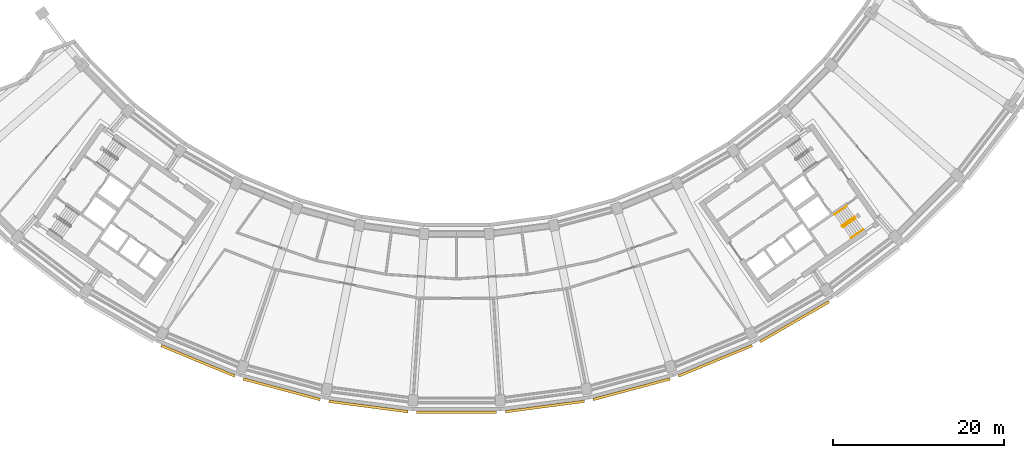
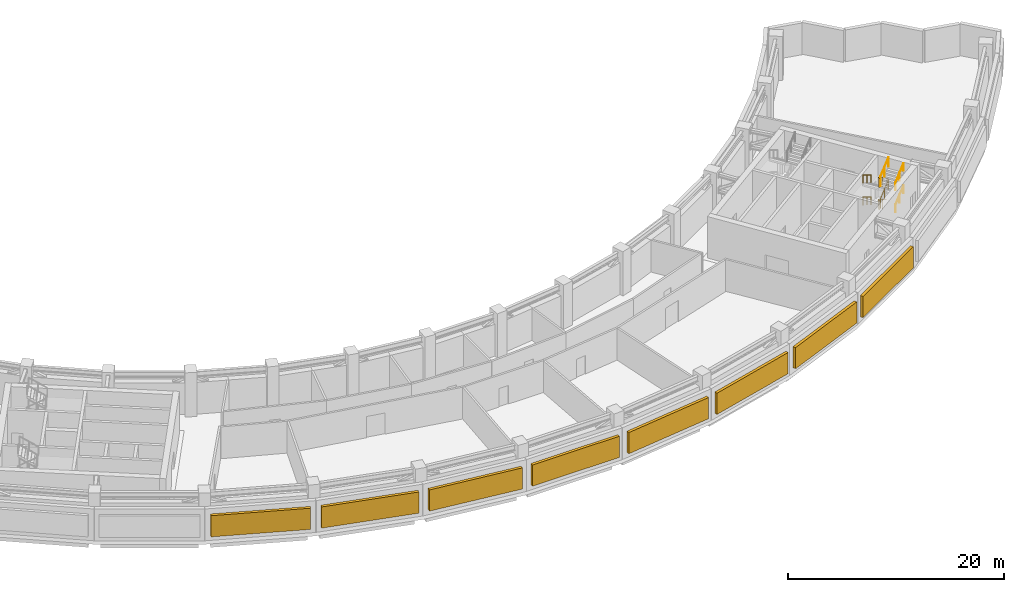
# One storey, part 22 of 24: 8 railings, 8 shading devices.
"""IFC4 building model written with IfcOpenShell, lengths in metres."""

from ifc_helpers import new_model, si_unit, direction, frame, origin, origin_2d, place, context, subcontext, project, spatial, rectangle, circle, extrude, material, type_object, element, save


model = new_model("IFC4")

# Units and contexts
model_context = context("Model", 3, precision=1e-05, world=origin(), true_north=direction((0.0, 1.0)))
body_context = subcontext(model_context, "Body", "Model", "MODEL_VIEW")
ifc_project = project(units=[si_unit("LENGTHUNIT", "METRE"), si_unit("AREAUNIT", "SQUARE_METRE"), si_unit("VOLUMEUNIT", "CUBIC_METRE"), si_unit("PLANEANGLEUNIT", "RADIAN"), si_unit("MASSUNIT", "GRAM", prefix="KILO")], contexts=[model_context])

# Site, building, storey
site_placement = place(None, origin())
site = spatial("IfcSite", under=ifc_project, at=site_placement, CompositionType="ELEMENT")
building_placement = place(site_placement, origin())
building = spatial("IfcBuilding", under=site, at=building_placement, Name="Qamariyya Broadcast Tower", CompositionType="ELEMENT")
storey_placement = place(building_placement, frame((0.0, 0.0, 198.699951171875)))
storey = spatial("IfcBuildingStorey", under=building, at=storey_placement, Name="L47", CompositionType="ELEMENT", Elevation=198.699951171875)

# Railings
ifc_material_1 = material(Name="Painted steel", Category="steel")
railing_type_1 = type_object("IfcRailingType", Name="Stair guard", PredefinedType="GUARDRAIL", material=ifc_material_1)
railing_1_placement = place(storey_placement, frame((46.48095703125, -56.14306640625, 0.1787109375)))
element("IfcRailing", 1, at=railing_1_placement, inside=storey, type_object=railing_type_1, Name="L47 ST-E1 stair guard 1", PredefinedType="GUARDRAIL", context=body_context, shape_type="SweptSolid", body=[
    extrude(circle(Radius=0.02392578125, at=origin_2d()), frame((0.0, 0.0, 1.076171875), z_axis=(-0.697532699334, -0.488440163562, 0.524284598266), x_axis=(0.573594173421, -0.819139624372, 0.0)), (0.0, 0.0, 1.0), 2.04345703125),
    extrude(circle(Radius=0.02392578125, at=origin_2d()), frame((-1.42529296875, -0.998046875, 2.1474609375), z_axis=(-0.176149252506, -0.984363469884, 0.0), x_axis=(0.984363469884, -0.176149252506, 0.0)), (0.0, 0.0, 1.0), 0.07080078125),
    extrude(circle(Radius=0.02392578125, at=origin_2d()), frame((-1.437744140625, -1.067626953125, 2.1474609375), z_axis=(0.574444878118, -0.818543268254, 0.0), x_axis=(0.818543268254, 0.574444878118, 0.0)), (0.0, 0.0, 1.0), 0.150146484375),
    extrude(circle(Radius=0.02099609375, at=origin_2d()), origin(), (0.0, 0.0, 1.0), 1.052001953125),
    extrude(circle(Radius=0.02099609375, at=origin_2d()), frame((-0.712646484375, -0.4990234375, 0.53564453125)), (0.0, 0.0, 1.0), 1.052001953125),
    extrude(circle(Radius=0.02099609375, at=origin_2d()), frame((-1.42529296875, -0.998046875, 1.0712890625)), (0.0, 0.0, 1.0), 1.052001953125),
    extrude(circle(Radius=0.02099609375, at=origin_2d()), frame((-1.437744140625, -1.067626953125, 1.0712890625)), (0.0, 0.0, 1.0), 1.052001953125),
    extrude(circle(Radius=0.02099609375, at=origin_2d()), frame((-1.3515625, -1.1904296875, 1.0712890625)), (0.0, 0.0, 1.0), 1.052001953125),
])
railing_2_placement = place(storey_placement, frame((45.198974609375, -57.345703125, 1.4287109375)))
element("IfcRailing", 2, at=railing_2_placement, inside=storey, type_object=railing_type_1, Name="L47 ST-E1 stair guard 2", PredefinedType="GUARDRAIL", context=body_context, shape_type="SweptSolid", body=[
    extrude(circle(Radius=0.02392578125, at=origin_2d()), frame((0.0, 0.0, 1.076171875), z_axis=(0.697532699334, 0.488440163562, 0.524284598266), x_axis=(-0.573594173421, 0.819139624372, 0.0)), (0.0, 0.0, 1.0), 2.04345703125),
    extrude(circle(Radius=0.02392578125, at=origin_2d()), frame((1.42529296875, 0.998046875, 2.1474609375), z_axis=(-0.357867132547, 0.933772518038, 0.0), x_axis=(-0.933772518038, -0.357867132547, 0.0)), (0.0, 0.0, 1.0), 0.2060546875),
    extrude(circle(Radius=0.02392578125, at=origin_2d()), frame((1.3515625, 1.1904296875, 2.1474609375), z_axis=(0.574444878118, -0.818543268254, 0.0), x_axis=(0.818543268254, 0.574444878118, 0.0)), (0.0, 0.0, 1.0), 0.150146484375),
    extrude(circle(Radius=0.02099609375, at=origin_2d()), origin(), (0.0, 0.0, 1.0), 1.052001953125),
    extrude(circle(Radius=0.02099609375, at=origin_2d()), frame((0.712646484375, 0.4990234375, 0.53564453125)), (0.0, 0.0, 1.0), 1.052001953125),
    extrude(circle(Radius=0.02099609375, at=origin_2d()), frame((1.42529296875, 0.998046875, 1.0712890625)), (0.0, 0.0, 1.0), 1.052001953125),
    extrude(circle(Radius=0.02099609375, at=origin_2d()), frame((1.3515625, 1.1904296875, 1.0712890625)), (0.0, 0.0, 1.0), 1.052001953125),
    extrude(circle(Radius=0.02099609375, at=origin_2d()), frame((1.437744140625, 1.067626953125, 1.0712890625)), (0.0, 0.0, 1.0), 1.052001953125),
])
railing_3_placement = place(storey_placement, frame((46.48095703125, -56.14306640625, 2.6787109375)))
element("IfcRailing", 3, at=railing_3_placement, inside=storey, type_object=railing_type_1, Name="L47 ST-E1 stair guard 3", PredefinedType="GUARDRAIL", context=body_context, shape_type="SweptSolid", body=[
    extrude(circle(Radius=0.02392578125, at=origin_2d()), frame((0.0, 0.0, 1.076171875), z_axis=(-0.697532699334, -0.488440163562, 0.524284598266), x_axis=(0.573594173421, -0.819139624372, 0.0)), (0.0, 0.0, 1.0), 2.04345703125),
    extrude(circle(Radius=0.02392578125, at=origin_2d()), frame((-1.42529296875, -0.998046875, 2.1474609375), z_axis=(-0.176149252506, -0.984363469884, 0.0), x_axis=(0.984363469884, -0.176149252506, 0.0)), (0.0, 0.0, 1.0), 0.07080078125),
    extrude(circle(Radius=0.02392578125, at=origin_2d()), frame((-1.437744140625, -1.067626953125, 2.1474609375), z_axis=(0.574444878118, -0.818543268254, 0.0), x_axis=(0.818543268254, 0.574444878118, 0.0)), (0.0, 0.0, 1.0), 0.150146484375),
    extrude(circle(Radius=0.02099609375, at=origin_2d()), origin(), (0.0, 0.0, 1.0), 1.052001953125),
    extrude(circle(Radius=0.02099609375, at=origin_2d()), frame((-0.712646484375, -0.4990234375, 0.53564453125)), (0.0, 0.0, 1.0), 1.052001953125),
    extrude(circle(Radius=0.02099609375, at=origin_2d()), frame((-1.42529296875, -0.998046875, 1.0712890625)), (0.0, 0.0, 1.0), 1.052001953125),
    extrude(circle(Radius=0.02099609375, at=origin_2d()), frame((-1.437744140625, -1.067626953125, 1.0712890625)), (0.0, 0.0, 1.0), 1.052001953125),
    extrude(circle(Radius=0.02099609375, at=origin_2d()), frame((-1.3515625, -1.1904296875, 1.0712890625)), (0.0, 0.0, 1.0), 1.052001953125),
])
railing_4_placement = place(storey_placement, frame((45.198974609375, -57.345703125, 3.9287109375)))
element("IfcRailing", 4, at=railing_4_placement, inside=storey, type_object=railing_type_1, Name="L47 ST-E1 stair guard 4", PredefinedType="GUARDRAIL", context=body_context, shape_type="SweptSolid", body=[
    extrude(circle(Radius=0.02392578125, at=origin_2d()), frame((0.0, 0.0, 1.076171875), z_axis=(0.697532699334, 0.488440163562, 0.524284598266), x_axis=(-0.573594173421, 0.819139624372, 0.0)), (0.0, 0.0, 1.0), 2.04345703125),
    extrude(circle(Radius=0.02099609375, at=origin_2d()), origin(), (0.0, 0.0, 1.0), 1.052001953125),
    extrude(circle(Radius=0.02099609375, at=origin_2d()), frame((0.712646484375, 0.4990234375, 0.53564453125)), (0.0, 0.0, 1.0), 1.052001953125),
    extrude(circle(Radius=0.02099609375, at=origin_2d()), frame((1.42529296875, 0.998046875, 1.0712890625)), (0.0, 0.0, 1.0), 1.052001953125),
])
ifc_material_2 = material(Name="Stainless steel", Category="steel")
railing_type_2 = type_object("IfcRailingType", Name="Stair handrail", PredefinedType="HANDRAIL", material=ifc_material_2)
railing_5_placement = place(storey_placement, frame((45.591796875, -54.873291015625, 0.1787109375)))
element("IfcRailing", 5, at=railing_5_placement, inside=storey, type_object=railing_type_2, Name="L47 ST-E1 stair handrail 1", PredefinedType="HANDRAIL", context=body_context, shape_type="SweptSolid", body=[
    extrude(circle(Radius=0.02392578125, at=origin_2d()), frame((0.0, 0.0, 0.8759765625), z_axis=(-0.697532699334, -0.488440163562, 0.524284598266), x_axis=(0.573594173421, -0.819139624372, 0.0)), (0.0, 0.0, 1.0), 2.04345703125),
    extrude(circle(Radius=0.02099609375, at=origin_2d()), origin(), (0.0, 0.0, 1.0), 0.851806640625),
    extrude(circle(Radius=0.02099609375, at=origin_2d()), frame((-0.712646484375, -0.4990234375, 0.53564453125)), (0.0, 0.0, 1.0), 0.851806640625),
    extrude(circle(Radius=0.02099609375, at=origin_2d()), frame((-1.42529296875, -0.998046875, 1.0712890625)), (0.0, 0.0, 1.0), 0.851806640625),
])
railing_6_placement = place(storey_placement, frame((46.088134765625, -58.615478515625, 1.4287109375)))
element("IfcRailing", 6, at=railing_6_placement, inside=storey, type_object=railing_type_2, Name="L47 ST-E1 stair handrail 2", PredefinedType="HANDRAIL", context=body_context, shape_type="SweptSolid", body=[
    extrude(circle(Radius=0.02392578125, at=origin_2d()), frame((0.0, 0.0, 0.8759765625), z_axis=(0.697532699334, 0.488440163562, 0.524284598266), x_axis=(-0.573594173421, 0.819139624372, 0.0)), (0.0, 0.0, 1.0), 2.04345703125),
    extrude(circle(Radius=0.02099609375, at=origin_2d()), origin(), (0.0, 0.0, 1.0), 0.851806640625),
    extrude(circle(Radius=0.02099609375, at=origin_2d()), frame((0.712646484375, 0.4990234375, 0.53564453125)), (0.0, 0.0, 1.0), 0.851806640625),
    extrude(circle(Radius=0.02099609375, at=origin_2d()), frame((1.42529296875, 0.998046875, 1.0712890625)), (0.0, 0.0, 1.0), 0.851806640625),
])
railing_7_placement = place(storey_placement, frame((45.591796875, -54.873291015625, 2.6787109375)))
element("IfcRailing", 7, at=railing_7_placement, inside=storey, type_object=railing_type_2, Name="L47 ST-E1 stair handrail 3", PredefinedType="HANDRAIL", context=body_context, shape_type="SweptSolid", body=[
    extrude(circle(Radius=0.02392578125, at=origin_2d()), frame((0.0, 0.0, 0.8759765625), z_axis=(-0.697532699334, -0.488440163562, 0.524284598266), x_axis=(0.573594173421, -0.819139624372, 0.0)), (0.0, 0.0, 1.0), 2.04345703125),
    extrude(circle(Radius=0.02099609375, at=origin_2d()), origin(), (0.0, 0.0, 1.0), 0.851806640625),
    extrude(circle(Radius=0.02099609375, at=origin_2d()), frame((-0.712646484375, -0.4990234375, 0.53564453125)), (0.0, 0.0, 1.0), 0.851806640625),
    extrude(circle(Radius=0.02099609375, at=origin_2d()), frame((-1.42529296875, -0.998046875, 1.0712890625)), (0.0, 0.0, 1.0), 0.851806640625),
])
railing_8_placement = place(storey_placement, frame((46.088134765625, -58.615478515625, 3.9287109375)))
element("IfcRailing", 8, at=railing_8_placement, inside=storey, type_object=railing_type_2, Name="L47 ST-E1 stair handrail 4", PredefinedType="HANDRAIL", context=body_context, shape_type="SweptSolid", body=[
    extrude(circle(Radius=0.02392578125, at=origin_2d()), frame((0.0, 0.0, 0.8759765625), z_axis=(0.697532699334, 0.488440163562, 0.524284598266), x_axis=(-0.573594173421, 0.819139624372, 0.0)), (0.0, 0.0, 1.0), 2.04345703125),
    extrude(circle(Radius=0.02099609375, at=origin_2d()), origin(), (0.0, 0.0, 1.0), 0.851806640625),
    extrude(circle(Radius=0.02099609375, at=origin_2d()), frame((0.712646484375, 0.4990234375, 0.53564453125)), (0.0, 0.0, 1.0), 0.851806640625),
    extrude(circle(Radius=0.02099609375, at=origin_2d()), frame((1.42529296875, 0.998046875, 1.0712890625)), (0.0, 0.0, 1.0), 0.851806640625),
])

# Shading devices
ifc_material_3 = material(Name="Glazed terracotta", Category="masonry")
shading_device_type = type_object("IfcShadingDeviceType", Name="Terracotta louvre bank", PredefinedType="USERDEFINED", material=ifc_material_3)
for number, where, z_axis, x_axis, name in (
    (9, (-30.224609375, -72.96875, 0.60009765625), (0.0, 0.0, 1.0), (0.923879532511, -0.382683432365, 0.0), "e-lv-L47-04"),
    (10, (-20.441650390625, -76.28955078125, 0.60009765625), (0.0, 0.0, 1.0), (0.965925826289, -0.258819045103, 0.0), "e-lv-L47-05"),
    (11, (-10.30908203125, -78.30517578125, 0.60009765625), (0.0, 0.0, 1.0), (0.991444861374, -0.13052619222, 0.0), "e-lv-L47-06"),
    (12, (0.0, -78.98095703125, 0.60009765625), (0.0, 0.0, 1.0), (1.0, 0.0, 0.0), "e-lv-L47-07"),
    (13, (10.30908203125, -78.30517578125, 0.60009765625), (0.0, 0.0, 1.0), (0.991444861374, 0.13052619222, 0.0), "e-lv-L47-08"),
    (14, (20.441650390625, -76.28955078125, 0.60009765625), (0.0, 0.0, 1.0), (0.965925826289, 0.258819045103, 0.0), "e-lv-L47-09"),
    (15, (30.224609375, -72.96875, 0.60009765625), (0.0, 0.0, 1.0), (0.923879532511, 0.382683432365, 0.0), "e-lv-L47-10"),
    (16, (39.490478515625, -68.3994140625, 0.60009765625), (0.0, 0.0, 1.0), (0.866025403784, 0.5, 0.0), "e-lv-L47-11"),
):
    element("IfcShadingDevice", number, at=place(storey_placement, frame(where, z_axis=z_axis, x_axis=x_axis)), inside=storey, type_object=shading_device_type, Name=name, ObjectType="LOUVRE", PredefinedType="USERDEFINED", context=body_context, shape_type="SweptSolid", body=[
        extrude(rectangle(XDim=9.333740234375, YDim=0.300048828125, at=origin_2d()), origin(), (0.0, 0.0, 1.0), 2.39990234375),
    ])

save(model, "model.ifc")
